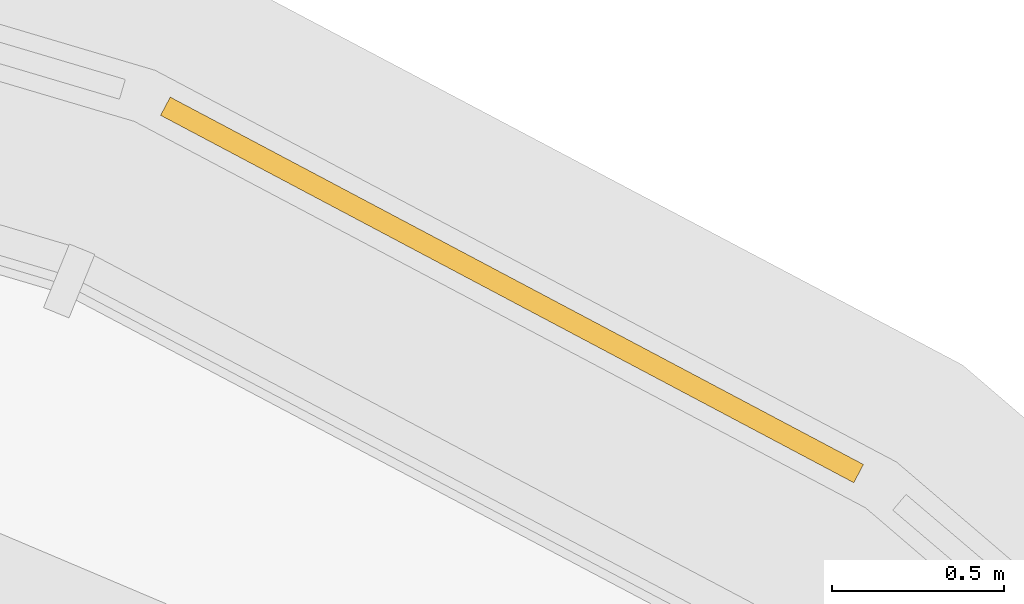
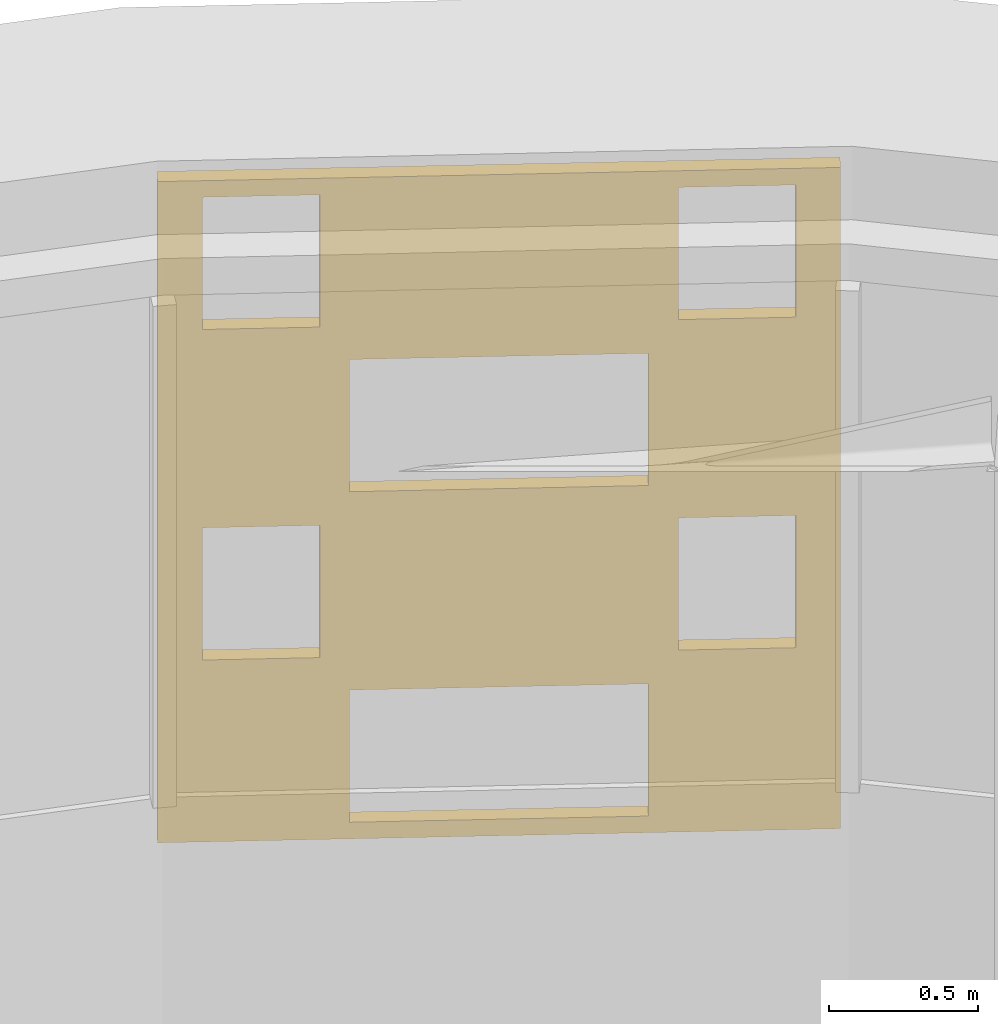
# One storey, part 15 of 15: 1 shading device.
"""IFC4 building model written with IfcOpenShell, lengths in metres."""

from ifc_helpers import new_model, si_unit, direction, frame, origin, place, context, subcontext, project, spatial, polyline, outline, extrude, material, layer, layer_set, type_object, element, save


model = new_model("IFC4")

# Units and contexts
model_context = context("Model", 3, precision=1e-05, world=origin(), true_north=direction((0.0, 1.0)))
body_context = subcontext(model_context, "Body", "Model", "MODEL_VIEW")
ifc_project = project(units=[si_unit("LENGTHUNIT", "METRE"), si_unit("AREAUNIT", "SQUARE_METRE"), si_unit("VOLUMEUNIT", "CUBIC_METRE"), si_unit("PLANEANGLEUNIT", "RADIAN"), si_unit("MASSUNIT", "GRAM", prefix="KILO")], contexts=[model_context])

# Site, building, storey
site_placement = place(None, origin())
site = spatial("IfcSite", under=ifc_project, at=site_placement, CompositionType="ELEMENT")
building_placement = place(site_placement, origin())
building = spatial("IfcBuilding", under=site, at=building_placement, Name="Noor Cloister Tower", CompositionType="ELEMENT")
storey_placement = place(building_placement, frame((0.0, 0.0, 181.5)))
storey = spatial("IfcBuildingStorey", under=building, at=storey_placement, Name="L46", CompositionType="ELEMENT", Elevation=181.5)

# Shading device
ifc_material = material(Name="Limestone", Category="masonry")
ifc_layer = layer(ifc_material, 0.06005859375)
ifc_layer_set = layer_set([ifc_layer], Name="SCREEN woven limestone pod 32 percent open")
shading_device_type = type_object("IfcShadingDeviceType", Name="SCREEN woven limestone pod 32 percent open", PredefinedType="USERDEFINED", material=ifc_layer_set)
shading_device_placement = place(storey_placement, frame((28.041259765625, 15.589599609375, 1.85009765625), z_axis=(0.468261847765, 0.883589747523, 0.0), x_axis=(-0.883589747523, 0.468261847765, 0.0)))
element("IfcShadingDevice", 1, at=shading_device_placement, inside=storey, type_object=shading_device_type, Name="SCREEN L46 12", ObjectType="SCREEN", PredefinedType="USERDEFINED", context=body_context, shape_type="SweptSolid", body=[
    extrude(outline(polyline([(-1.1435546875, -1.35009765625), (1.1435546875, -1.35009765625), (1.1435546875, 1.35009765625), (-1.1435546875, 1.35009765625), (-1.1435546875, -1.35009765625)]), holes=[polyline([(-0.5, -1.282470703125), (0.5, -1.282470703125), (0.5, -0.742431640625), (-0.5, -0.742431640625), (-0.5, -1.282470703125)]), polyline([(0.60009765625, -0.607421875), (0.993408203125, -0.607421875), (0.993408203125, -0.0673828125), (0.60009765625, -0.0673828125), (0.60009765625, -0.607421875)]), polyline([(-0.993408203125, -0.607421875), (-0.60009765625, -0.607421875), (-0.60009765625, -0.0673828125), (-0.993408203125, -0.0673828125), (-0.993408203125, -0.607421875)]), polyline([(-0.5, 0.0673828125), (0.5, 0.0673828125), (0.5, 0.607421875), (-0.5, 0.607421875), (-0.5, 0.0673828125)]), polyline([(0.60009765625, 0.742431640625), (0.993408203125, 0.742431640625), (0.993408203125, 1.282470703125), (0.60009765625, 1.282470703125), (0.60009765625, 0.742431640625)]), polyline([(-0.993408203125, 0.742431640625), (-0.60009765625, 0.742431640625), (-0.60009765625, 1.282470703125), (-0.993408203125, 1.282470703125), (-0.993408203125, 0.742431640625)])]), origin(), (0.0, 0.0, 1.0), 0.06005859375),
])

save(model, "model.ifc")
